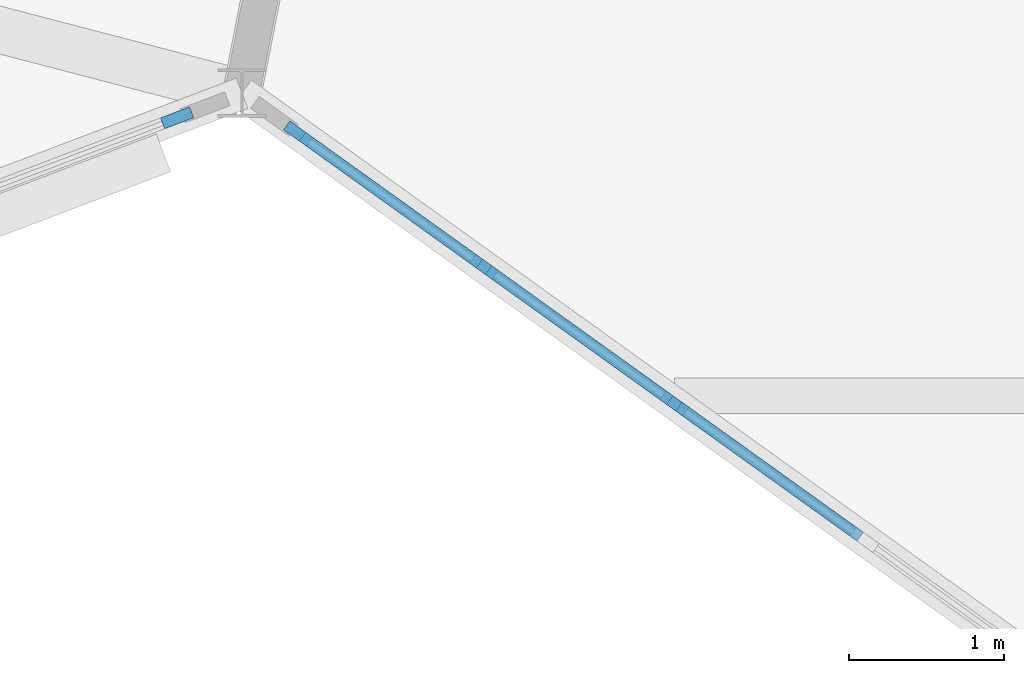
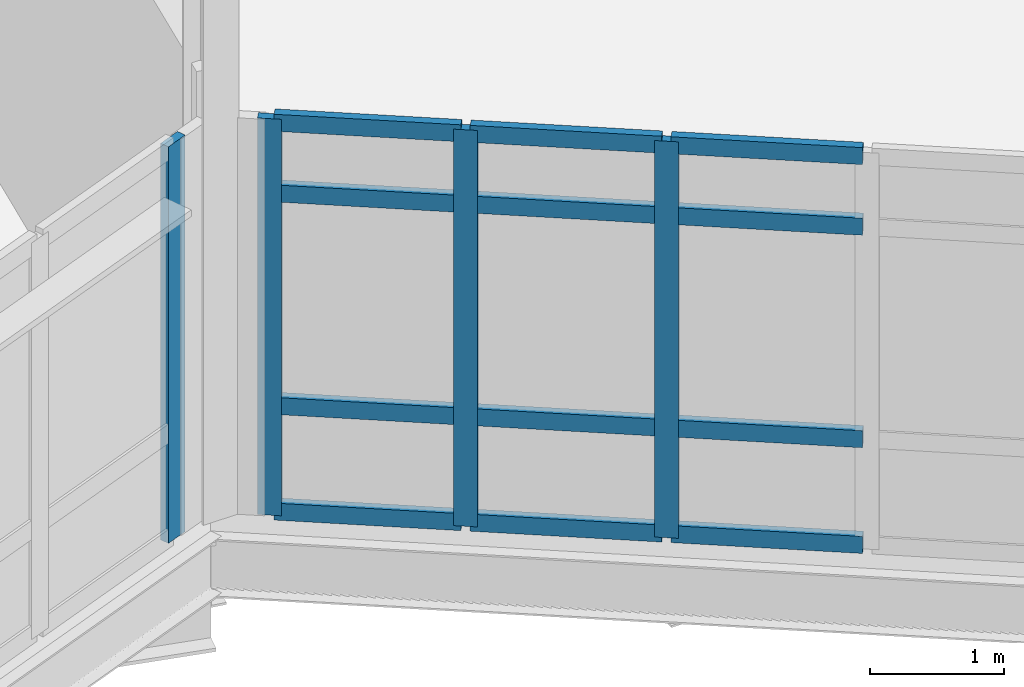
# One storey, part 42 of 134: 16 members, 2 elements without a shape of their own.
"""IFC4 building model written with IfcOpenShell, lengths in metres."""

from ifc_helpers import new_model, si_unit, direction, frame, origin, origin_2d, place, context, subcontext, project, spatial, rectangle, extrude, material, material_profile, profile_set, type_object, element, aggregate, save


model = new_model("IFC4")

# Units and contexts
model_context = context("Model", 3, precision=1e-05, world=origin(), true_north=direction((0.0, 1.0)))
body_context = subcontext(model_context, "Body", "Model", "MODEL_VIEW")
ifc_project = project(units=[si_unit("LENGTHUNIT", "METRE"), si_unit("AREAUNIT", "SQUARE_METRE"), si_unit("VOLUMEUNIT", "CUBIC_METRE"), si_unit("PLANEANGLEUNIT", "RADIAN"), si_unit("MASSUNIT", "GRAM", prefix="KILO")], contexts=[model_context])

# Site, building, storey
site_placement = place(None, origin())
site = spatial("IfcSite", under=ifc_project, at=site_placement, CompositionType="ELEMENT")
building_placement = place(site_placement, origin())
building = spatial("IfcBuilding", under=site, at=building_placement, Name="Tameran Prism Museum", CompositionType="ELEMENT")
storey_placement = place(building_placement, frame((0.0, 0.0, 5.39990234375)))
storey = spatial("IfcBuildingStorey", under=building, at=storey_placement, Name="L01", CompositionType="ELEMENT", Elevation=5.39990234375)

# Curtain wall, members
ifc_material_1 = material(Name="Anodised Aluminium 6063-T6 and Cyclone Solar Glass", Category="aluminium")
curtain_wall_type_1 = type_object("IfcCurtainWallType", Name="CW-FAC-1056x362", PredefinedType="USERDEFINED", material=ifc_material_1)
curtain_wall_1_placement = place(storey_placement, origin())
curtain_wall_1 = element("IfcCurtainWall", 1, at=curtain_wall_1_placement, inside=storey, type_object=curtain_wall_type_1, Name="Unitised Curtain Wall CW-076", ObjectType="UNITISED CURTAIN WALL", PredefinedType="USERDEFINED")
ifc_material_2 = material(Name="Anodised Aluminium Alloy 6063-T6", Category="aluminium")
ifc_material_profile_1 = material_profile(ifc_material_2, rectangle(XDim=0.070068359375, YDim=0.179931640625, at=origin_2d()))
ifc_profile_set_1 = profile_set([ifc_material_profile_1])
member_type_1 = type_object("IfcMemberType", Name="CW-MUL-B", PredefinedType="MULLION", material=ifc_profile_set_1)
member_1_placement = place(storey_placement, frame((123.4853515625, 20.3017578125, 0.0), z_axis=(0.0, 0.0, 1.0), x_axis=(-0.582884776259, -0.812554821293, 0.0)))
member_1 = element("IfcMember", 2, at=member_1_placement, type_object=member_type_1, Name="CW-076 mullion 6", PredefinedType="MULLION", context=body_context, shape_type="SweptSolid", body=[
    extrude(rectangle(XDim=0.070068359375, YDim=0.179931640625, at=origin_2d()), origin(), (0.0, 0.0, 1.0), 3.6201171875),
])
member_2_placement = place(storey_placement, frame((122.259033203125, 21.181396484375, 0.0), z_axis=(0.0, 0.0, 1.0), x_axis=(-0.582884776259, -0.812554821293, 0.0)))
member_2 = element("IfcMember", 3, at=member_2_placement, type_object=member_type_1, Name="CW-076 mullion 7", PredefinedType="MULLION", context=body_context, shape_type="SweptSolid", body=[
    extrude(rectangle(XDim=0.070068359375, YDim=0.179931640625, at=origin_2d()), origin(), (0.0, 0.0, 1.0), 3.6201171875),
])
member_3_placement = place(storey_placement, frame((121.0615234375, 22.04052734375, 0.0), z_axis=(0.0, 0.0, 1.0), x_axis=(-0.582884776259, -0.812554821293, 0.0)))
member_3 = element("IfcMember", 4, at=member_3_placement, type_object=member_type_1, Name="CW-076 mullion 8", PredefinedType="MULLION", context=body_context, shape_type="SweptSolid", body=[
    extrude(rectangle(XDim=0.070068359375, YDim=0.179931640625, at=origin_2d()), origin(), (0.0, 0.0, 1.0), 3.6201171875),
])

# Curtain wall, member
ifc_material_3 = material(Name="Anodised Aluminium 6063-T6 and Cyclone Solar Glass", Category="aluminium")
curtain_wall_type_2 = type_object("IfcCurtainWallType", Name="CW-FAC-994x362", PredefinedType="USERDEFINED", material=ifc_material_3)
curtain_wall_2_placement = place(storey_placement, origin())
curtain_wall_2 = element("IfcCurtainWall", 5, at=curtain_wall_2_placement, inside=storey, type_object=curtain_wall_type_2, Name="Unitised Curtain Wall CW-073", ObjectType="UNITISED CURTAIN WALL", PredefinedType="USERDEFINED")
ifc_material_4 = material(Name="Anodised Aluminium Alloy 6063-T6", Category="aluminium")
ifc_material_profile_2 = material_profile(ifc_material_4, rectangle(XDim=0.074951171875, YDim=0.199951171875, at=origin_2d()))
ifc_profile_set_2 = profile_set([ifc_material_profile_2])
member_type_2 = type_object("IfcMemberType", Name="CW-MUL-C", PredefinedType="MULLION", material=ifc_profile_set_2)
member_4_placement = place(storey_placement, frame((120.281982421875, 22.1416015625, 0.0), z_axis=(0.0, 0.0, 1.0), x_axis=(0.355288098442, -0.934756849189, 0.0)))
member_4 = element("IfcMember", 6, at=member_4_placement, type_object=member_type_2, Name="CW-073 mullion 1", PredefinedType="MULLION", context=body_context, shape_type="SweptSolid", body=[
    extrude(rectangle(XDim=0.074951171875, YDim=0.199951171875, at=origin_2d()), origin(), (0.0, 0.0, 1.0), 3.6201171875),
])
aggregate(curtain_wall_2, [member_4])

# Member
ifc_material_5 = material(Name="Anodised Aluminium Alloy 6063-T6", Category="aluminium")
ifc_material_profile_3 = material_profile(ifc_material_5, rectangle(XDim=0.070068359375, YDim=0.155029296875, at=origin_2d()))
ifc_profile_set_3 = profile_set([ifc_material_profile_3])
member_type_3 = type_object("IfcMemberType", Name="CW-TRN-B", PredefinedType="USERDEFINED", material=ifc_profile_set_3)
member_5_placement = place(storey_placement, frame((124.68310546875, 19.442626953125, 0.03515625), z_axis=(-0.812562703093, 0.58287378869, 0.0), x_axis=(-0.58287378869, -0.812562703093, 0.0)))
member_5 = element("IfcMember", 7, at=member_5_placement, type_object=member_type_3, Name="CW-076 transom 5.1", ObjectType="TRANSOM", PredefinedType="USERDEFINED", context=body_context, shape_type="SweptSolid", body=[
    extrude(rectangle(XDim=0.070068359375, YDim=0.155029296875, at=origin_2d()), origin(), (0.0, 0.0, 1.0), 1.439208984375),
])

member_6_placement = place(storey_placement, frame((124.68310546875, 19.442626953125, 1.0), z_axis=(-0.812562703093, 0.58287378869, 0.0), x_axis=(-0.58287378869, -0.812562703093, 0.0)))
member_6 = element("IfcMember", 8, at=member_6_placement, type_object=member_type_3, Name="CW-076 transom 5.2", ObjectType="TRANSOM", PredefinedType="USERDEFINED", context=body_context, shape_type="SweptSolid", body=[
    extrude(rectangle(XDim=0.070068359375, YDim=0.155029296875, at=origin_2d()), origin(), (0.0, 0.0, 1.0), 1.439208984375),
])

member_7_placement = place(storey_placement, frame((124.68310546875, 19.442626953125, 2.940185546875), z_axis=(-0.812562703093, 0.58287378869, 0.0), x_axis=(-0.58287378869, -0.812562703093, 0.0)))
member_7 = element("IfcMember", 9, at=member_7_placement, type_object=member_type_3, Name="CW-076 transom 5.3", ObjectType="TRANSOM", PredefinedType="USERDEFINED", context=body_context, shape_type="SweptSolid", body=[
    extrude(rectangle(XDim=0.070068359375, YDim=0.155029296875, at=origin_2d()), origin(), (0.0, 0.0, 1.0), 1.439208984375),
])

member_8_placement = place(storey_placement, frame((124.68310546875, 19.442626953125, 3.585205078125), z_axis=(-0.812562703093, 0.58287378869, 0.0), x_axis=(-0.58287378869, -0.812562703093, 0.0)))
member_8 = element("IfcMember", 10, at=member_8_placement, type_object=member_type_3, Name="CW-076 transom 5.4", ObjectType="TRANSOM", PredefinedType="USERDEFINED", context=body_context, shape_type="SweptSolid", body=[
    extrude(rectangle(XDim=0.070068359375, YDim=0.155029296875, at=origin_2d()), origin(), (0.0, 0.0, 1.0), 1.439208984375),
])

member_9_placement = place(storey_placement, frame((123.456787109375, 20.322265625, 0.03515625), z_axis=(-0.812505058281, 0.582954140792, 0.0), x_axis=(-0.582954140792, -0.812505058281, 0.0)))
member_9 = element("IfcMember", 11, at=member_9_placement, type_object=member_type_3, Name="CW-076 transom 6.1", ObjectType="TRANSOM", PredefinedType="USERDEFINED", context=body_context, shape_type="SweptSolid", body=[
    extrude(rectangle(XDim=0.070068359375, YDim=0.155029296875, at=origin_2d()), origin(), (0.0, 0.0, 1.0), 1.43896484375),
])

member_10_placement = place(storey_placement, frame((123.456787109375, 20.322265625, 1.0), z_axis=(-0.812505058281, 0.582954140792, 0.0), x_axis=(-0.582954140792, -0.812505058281, 0.0)))
member_10 = element("IfcMember", 12, at=member_10_placement, type_object=member_type_3, Name="CW-076 transom 6.2", ObjectType="TRANSOM", PredefinedType="USERDEFINED", context=body_context, shape_type="SweptSolid", body=[
    extrude(rectangle(XDim=0.070068359375, YDim=0.155029296875, at=origin_2d()), origin(), (0.0, 0.0, 1.0), 1.43896484375),
])

member_11_placement = place(storey_placement, frame((123.456787109375, 20.322265625, 2.940185546875), z_axis=(-0.812505058281, 0.582954140792, 0.0), x_axis=(-0.582954140792, -0.812505058281, 0.0)))
member_11 = element("IfcMember", 13, at=member_11_placement, type_object=member_type_3, Name="CW-076 transom 6.3", ObjectType="TRANSOM", PredefinedType="USERDEFINED", context=body_context, shape_type="SweptSolid", body=[
    extrude(rectangle(XDim=0.070068359375, YDim=0.155029296875, at=origin_2d()), origin(), (0.0, 0.0, 1.0), 1.43896484375),
])

member_12_placement = place(storey_placement, frame((123.456787109375, 20.322265625, 3.585205078125), z_axis=(-0.812505058281, 0.582954140792, 0.0), x_axis=(-0.582954140792, -0.812505058281, 0.0)))
member_12 = element("IfcMember", 14, at=member_12_placement, type_object=member_type_3, Name="CW-076 transom 6.4", ObjectType="TRANSOM", PredefinedType="USERDEFINED", context=body_context, shape_type="SweptSolid", body=[
    extrude(rectangle(XDim=0.070068359375, YDim=0.155029296875, at=origin_2d()), origin(), (0.0, 0.0, 1.0), 1.43896484375),
])

member_13_placement = place(storey_placement, frame((122.230712890625, 21.201904296875, 0.03515625), z_axis=(-0.812568686332, 0.582865447589, 0.0), x_axis=(-0.582865447589, -0.812568686332, 0.0)))
member_13 = element("IfcMember", 15, at=member_13_placement, type_object=member_type_3, Name="CW-076 transom 7.1", ObjectType="TRANSOM", PredefinedType="USERDEFINED", context=body_context, shape_type="SweptSolid", body=[
    extrude(rectangle(XDim=0.070068359375, YDim=0.155029296875, at=origin_2d()), origin(), (0.0, 0.0, 1.0), 1.404052734375),
])

member_14_placement = place(storey_placement, frame((122.230712890625, 21.201904296875, 1.0), z_axis=(-0.812568686332, 0.582865447589, 0.0), x_axis=(-0.582865447589, -0.812568686332, 0.0)))
member_14 = element("IfcMember", 16, at=member_14_placement, type_object=member_type_3, Name="CW-076 transom 7.2", ObjectType="TRANSOM", PredefinedType="USERDEFINED", context=body_context, shape_type="SweptSolid", body=[
    extrude(rectangle(XDim=0.070068359375, YDim=0.155029296875, at=origin_2d()), origin(), (0.0, 0.0, 1.0), 1.404052734375),
])

member_15_placement = place(storey_placement, frame((122.230712890625, 21.201904296875, 2.940185546875), z_axis=(-0.812568686332, 0.582865447589, 0.0), x_axis=(-0.582865447589, -0.812568686332, 0.0)))
member_15 = element("IfcMember", 17, at=member_15_placement, type_object=member_type_3, Name="CW-076 transom 7.3", ObjectType="TRANSOM", PredefinedType="USERDEFINED", context=body_context, shape_type="SweptSolid", body=[
    extrude(rectangle(XDim=0.070068359375, YDim=0.155029296875, at=origin_2d()), origin(), (0.0, 0.0, 1.0), 1.404052734375),
])

member_16_placement = place(storey_placement, frame((122.230712890625, 21.201904296875, 3.585205078125), z_axis=(-0.812568686332, 0.582865447589, 0.0), x_axis=(-0.582865447589, -0.812568686332, 0.0)))
member_16 = element("IfcMember", 18, at=member_16_placement, type_object=member_type_3, Name="CW-076 transom 7.4", ObjectType="TRANSOM", PredefinedType="USERDEFINED", context=body_context, shape_type="SweptSolid", body=[
    extrude(rectangle(XDim=0.070068359375, YDim=0.155029296875, at=origin_2d()), origin(), (0.0, 0.0, 1.0), 1.404052734375),
])

aggregate(curtain_wall_1, [member_1, member_2, member_3, member_5, member_6, member_7, member_8, member_9, member_10, member_11, member_12, member_13, member_14, member_15, member_16])

save(model, "model.ifc")
